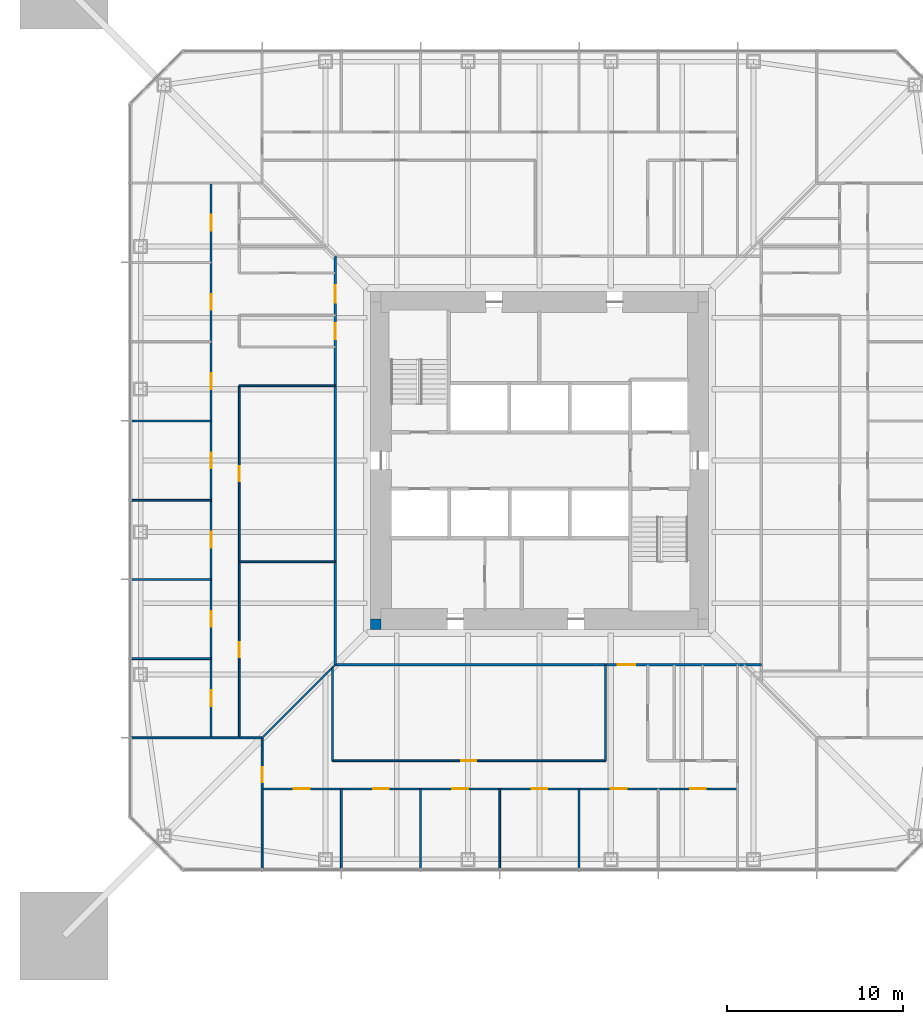
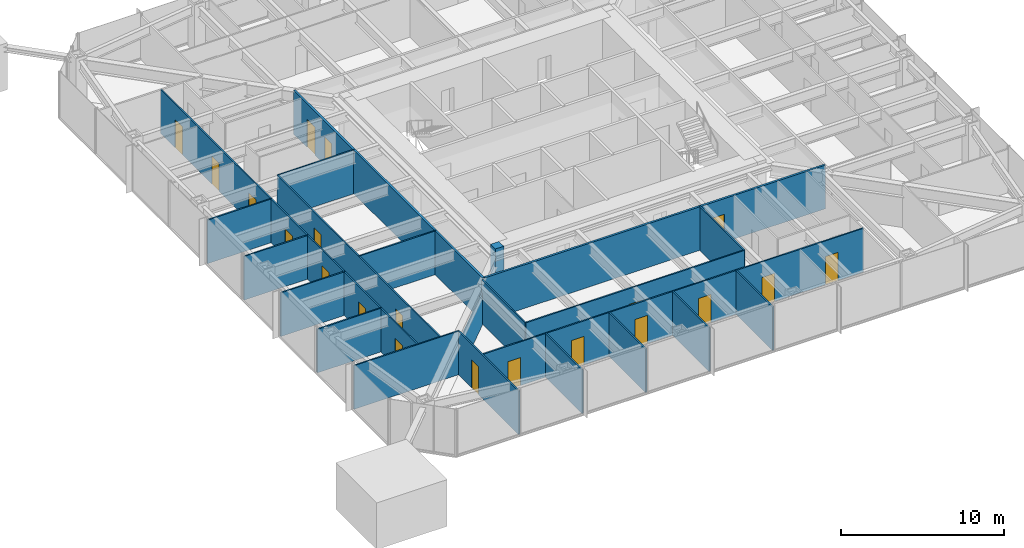
# One storey, part 14 of 26: 22 walls, 20 doors, 20 openings.
"""IFC4 building model written with IfcOpenShell, lengths in metres."""

from ifc_helpers import new_model, si_unit, direction, frame, frame_2d, origin, place, context, subcontext, project, spatial, rectangle, extrude, material, layer, layer_set, type_object, element, fill, save


model = new_model("IFC4")

# Units and contexts
model_context = context("Model", 3, precision=1e-05, world=origin(), true_north=direction((0.0, 1.0)))
body_context = subcontext(model_context, "Body", "Model", "MODEL_VIEW")
ifc_project = project(units=[si_unit("LENGTHUNIT", "METRE"), si_unit("AREAUNIT", "SQUARE_METRE"), si_unit("VOLUMEUNIT", "CUBIC_METRE"), si_unit("PLANEANGLEUNIT", "RADIAN"), si_unit("MASSUNIT", "GRAM", prefix="KILO")], contexts=[model_context])

# Site, building, storey
site_placement = place(None, origin())
site = spatial("IfcSite", under=ifc_project, at=site_placement, CompositionType="ELEMENT")
building_placement = place(site_placement, origin())
building = spatial("IfcBuilding", under=site, at=building_placement, Name="Iwan Alto Co-Living Towers", CompositionType="ELEMENT")
storey_placement = place(building_placement, frame((0.0, 0.0, 29.0)))
storey = spatial("IfcBuildingStorey", under=building, at=storey_placement, Name="L07", CompositionType="ELEMENT", Elevation=29.0)

# Wall, opening, door
ifc_material_1 = material(Name="Gypsum board")
ifc_layer_1 = layer(ifc_material_1, 0.02490234375, Name="Board", Category="Finish")
ifc_material_2 = material(Name="Steel ASTM A1003 ST33H cold-formed studs", Category="steel")
ifc_layer_2 = layer(ifc_material_2, 0.10009765625, Name="Studs", Category="Framing")
ifc_layer_3 = layer(ifc_material_1, 0.02490234375, Name="Board", Category="Finish")
ifc_layer_set_1 = layer_set([ifc_layer_1, ifc_layer_2, ifc_layer_3], Name="CORRIDOR WALL 150")
wall_type_1 = type_object("IfcWallType", Name="CORRIDOR WALL 150", PredefinedType="PARTITIONING", material=ifc_layer_set_1)
wall_1_placement = place(storey_placement, frame((-11.60009765625, -11.60009765625, 0.0), z_axis=(0.0, 0.0, 1.0), x_axis=(1.0, 0.0, 0.0)))
wall_1 = element("IfcWall", 1, at=wall_1_placement, inside=storey, type_object=wall_type_1, Name="Partition L07", PredefinedType="PARTITIONING", context=body_context, shape_type="SweptSolid", body=[
    extrude(rectangle(XDim=24.2001953125, YDim=0.14990234375, at=frame_2d((12.10009765625, 0.0))), origin(), (0.0, 0.0, 1.0), 3.27001953125),
])
opening_1_placement = place(wall_1_placement, frame((16.050048828125, 0.0, 0.0)))
opening_1 = element("IfcOpeningElement", 2, at=opening_1_placement, cuts=wall_1, Name="Opening D3", PredefinedType="OPENING", context=body_context, shape_type="SweptSolid", body=[
    extrude(rectangle(XDim=1.0, YDim=2.10009765625, at=frame_2d((0.5, 1.050048828125))), frame((0.0, 0.0849609375, 0.0), z_axis=(0.0, -1.0, 0.0), x_axis=(1.0, 0.0, 0.0)), (0.0, 0.0, 1.0), 0.169921875),
])
ifc_material_3 = material(Name="Steel frame with timber leaf", Category="steel")
door_type_1 = type_object("IfcDoorType", Name="FLAT ENTRANCE DOOR FD30S 1000X2100", OperationType="SINGLE_SWING_LEFT", PredefinedType="DOOR", material=ifc_material_3)
door_1_placement = place(opening_1_placement, frame((1.0, 0.0, 0.0), z_axis=(0.0, 0.0, 1.0), x_axis=(-1.0, 0.0, 0.0)))
door_1 = element("IfcDoor", 3, at=door_1_placement, inside=storey, type_object=door_type_1, Name="Cluster lounge door L07", OperationType="SINGLE_SWING_RIGHT", OverallHeight=2.10009765625, OverallWidth=1.0, PredefinedType="DOOR", context=body_context, shape_type="SweptSolid", body=[
    extrude(rectangle(XDim=1.0, YDim=2.10009765625, at=frame_2d((0.5, 1.050048828125))), frame((0.0, 0.02490234375, 0.0), z_axis=(0.0, -1.0, 0.0), x_axis=(1.0, 0.0, 0.0)), (0.0, 0.0, 1.0), 0.050048828125),
])
fill(opening_1, door_1)

# Wall, openings, doors
wall_2_placement = place(storey_placement, frame((-11.60009765625, -11.60009765625, 0.0), z_axis=(0.0, 0.0, 1.0), x_axis=(0.0, 1.0, 0.0)))
wall_2 = element("IfcWall", 4, at=wall_2_placement, inside=storey, type_object=wall_type_1, Name="Partition L07", PredefinedType="PARTITIONING", context=body_context, shape_type="SweptSolid", body=[
    extrude(rectangle(XDim=23.2001953125, YDim=0.14990234375, at=frame_2d((11.60009765625, 0.0))), origin(), (0.0, 0.0, 1.0), 3.27001953125),
])
opening_2_placement = place(wall_2_placement, frame((20.550048828125, 0.0, 0.0)))
opening_2 = element("IfcOpeningElement", 5, at=opening_2_placement, cuts=wall_2, Name="Opening D3", PredefinedType="OPENING", context=body_context, shape_type="SweptSolid", body=[
    extrude(rectangle(XDim=1.0, YDim=2.10009765625, at=frame_2d((0.5, 1.050048828125))), frame((0.0, 0.0849609375, 0.0), z_axis=(0.0, -1.0, 0.0), x_axis=(1.0, 0.0, 0.0)), (0.0, 0.0, 1.0), 0.169921875),
])
opening_3_placement = place(wall_2_placement, frame((18.5, 0.0, 0.0)))
opening_3 = element("IfcOpeningElement", 6, at=opening_3_placement, cuts=wall_2, Name="Opening D8", PredefinedType="OPENING", context=body_context, shape_type="SweptSolid", body=[
    extrude(rectangle(XDim=0.89990234375, YDim=2.10009765625, at=frame_2d((0.449951171875, 1.050048828125))), frame((0.0, 0.0849609375, 0.0), z_axis=(0.0, -1.0, 0.0), x_axis=(1.0, 0.0, 0.0)), (0.0, 0.0, 1.0), 0.169921875),
])
door_2_placement = place(opening_2_placement, origin())
door_2 = element("IfcDoor", 7, at=door_2_placement, inside=storey, type_object=door_type_1, Name="Cluster lounge and shared kitchen door L07", OperationType="SINGLE_SWING_LEFT", OverallHeight=2.10009765625, OverallWidth=1.0, PredefinedType="DOOR", context=body_context, shape_type="SweptSolid", body=[
    extrude(rectangle(XDim=1.0, YDim=2.10009765625, at=frame_2d((0.5, 1.050048828125))), frame((0.0, 0.02490234375, 0.0), z_axis=(0.0, -1.0, 0.0), x_axis=(1.0, 0.0, 0.0)), (0.0, 0.0, 1.0), 0.050048828125),
])
fill(opening_2, door_2)
ifc_material_4 = material(Name="Steel frame with timber leaf", Category="steel")
door_type_2 = type_object("IfcDoorType", Name="RISER DOOR FD120 900X2100", OperationType="SINGLE_SWING_LEFT", PredefinedType="DOOR", material=ifc_material_4)
door_3_placement = place(opening_3_placement, origin())
door_3 = element("IfcDoor", 8, at=door_3_placement, inside=storey, type_object=door_type_2, Name="Comms room door L07", OperationType="SINGLE_SWING_LEFT", OverallHeight=2.10009765625, OverallWidth=0.89990234375, PredefinedType="DOOR", context=body_context, shape_type="SweptSolid", body=[
    extrude(rectangle(XDim=0.89990234375, YDim=2.10009765625, at=frame_2d((0.449951171875, 1.050048828125))), frame((0.0, 0.02490234375, 0.0), z_axis=(0.0, -1.0, 0.0), x_axis=(1.0, 0.0, 0.0)), (0.0, 0.0, 1.0), 0.050048828125),
])
fill(opening_3, door_3)

ifc_layer_4 = layer(ifc_material_1, 0.012451171875, Name="Board", Category="Finish")
ifc_layer_5 = layer(ifc_material_2, 0.074951171875, Name="Studs", Category="Framing")
ifc_layer_6 = layer(ifc_material_1, 0.012451171875, Name="Board", Category="Finish")
ifc_layer_set_2 = layer_set([ifc_layer_4, ifc_layer_5, ifc_layer_6], Name="PARTITION 100")
wall_type_2 = type_object("IfcWallType", Name="PARTITION 100", PredefinedType="PARTITIONING", material=ifc_layer_set_2)
wall_3_placement = place(storey_placement, frame((-15.75, -18.64990234375, 0.0), z_axis=(0.0, 0.0, 1.0), x_axis=(1.0, 0.0, 0.0)))
wall_3 = element("IfcWall", 9, at=wall_3_placement, inside=storey, type_object=wall_type_2, Name="Partition L07", PredefinedType="PARTITIONING", context=body_context, shape_type="SweptSolid", body=[
    extrude(rectangle(XDim=27.0, YDim=0.10009765625, at=frame_2d((13.5, 0.0))), origin(), (0.0, 0.0, 1.0), 3.27001953125),
])
opening_4_placement = place(wall_3_placement, frame((1.800048828125, 0.0, 0.0)))
opening_4 = element("IfcOpeningElement", 10, at=opening_4_placement, cuts=wall_3, Name="Opening D1", PredefinedType="OPENING", context=body_context, shape_type="SweptSolid", body=[
    extrude(rectangle(XDim=0.89990234375, YDim=2.10009765625, at=frame_2d((0.449951171875, 1.050048828125))), frame((0.0, 0.06005859375, 0.0), z_axis=(0.0, -1.0, 0.0), x_axis=(1.0, 0.0, 0.0)), (0.0, 0.0, 1.0), 0.1201171875),
])
opening_5_placement = place(wall_3_placement, frame((6.300048828125, 0.0, 0.0)))
opening_5 = element("IfcOpeningElement", 11, at=opening_5_placement, cuts=wall_3, Name="Opening D1", PredefinedType="OPENING", context=body_context, shape_type="SweptSolid", body=[
    extrude(rectangle(XDim=0.89990234375, YDim=2.10009765625, at=frame_2d((0.449951171875, 1.050048828125))), frame((0.0, 0.06005859375, 0.0), z_axis=(0.0, -1.0, 0.0), x_axis=(1.0, 0.0, 0.0)), (0.0, 0.0, 1.0), 0.1201171875),
])
opening_6_placement = place(wall_3_placement, frame((10.800048828125, 0.0, 0.0)))
opening_6 = element("IfcOpeningElement", 12, at=opening_6_placement, cuts=wall_3, Name="Opening D1", PredefinedType="OPENING", context=body_context, shape_type="SweptSolid", body=[
    extrude(rectangle(XDim=0.89990234375, YDim=2.10009765625, at=frame_2d((0.449951171875, 1.050048828125))), frame((0.0, 0.06005859375, 0.0), z_axis=(0.0, -1.0, 0.0), x_axis=(1.0, 0.0, 0.0)), (0.0, 0.0, 1.0), 0.1201171875),
])
opening_7_placement = place(wall_3_placement, frame((15.300048828125, 0.0, 0.0)))
opening_7 = element("IfcOpeningElement", 13, at=opening_7_placement, cuts=wall_3, Name="Opening D1", PredefinedType="OPENING", context=body_context, shape_type="SweptSolid", body=[
    extrude(rectangle(XDim=0.89990234375, YDim=2.10009765625, at=frame_2d((0.449951171875, 1.050048828125))), frame((0.0, 0.06005859375, 0.0), z_axis=(0.0, -1.0, 0.0), x_axis=(1.0, 0.0, 0.0)), (0.0, 0.0, 1.0), 0.1201171875),
])
opening_8_placement = place(wall_3_placement, frame((19.800048828125, 0.0, 0.0)))
opening_8 = element("IfcOpeningElement", 14, at=opening_8_placement, cuts=wall_3, Name="Opening D1", PredefinedType="OPENING", context=body_context, shape_type="SweptSolid", body=[
    extrude(rectangle(XDim=0.89990234375, YDim=2.10009765625, at=frame_2d((0.449951171875, 1.050048828125))), frame((0.0, 0.06005859375, 0.0), z_axis=(0.0, -1.0, 0.0), x_axis=(1.0, 0.0, 0.0)), (0.0, 0.0, 1.0), 0.1201171875),
])
opening_9_placement = place(wall_3_placement, frame((24.300048828125, 0.0, 0.0)))
opening_9 = element("IfcOpeningElement", 15, at=opening_9_placement, cuts=wall_3, Name="Opening D1", PredefinedType="OPENING", context=body_context, shape_type="SweptSolid", body=[
    extrude(rectangle(XDim=0.89990234375, YDim=2.10009765625, at=frame_2d((0.449951171875, 1.050048828125))), frame((0.0, 0.06005859375, 0.0), z_axis=(0.0, -1.0, 0.0), x_axis=(1.0, 0.0, 0.0)), (0.0, 0.0, 1.0), 0.1201171875),
])
ifc_material_5 = material(Name="Timber leaf in steel frame", Category="steel")
door_type_3 = type_object("IfcDoorType", Name="BEDROOM DOOR 900X2100", OperationType="SINGLE_SWING_LEFT", PredefinedType="DOOR", material=ifc_material_5)
door_4_placement = place(opening_4_placement, origin())
door_4 = element("IfcDoor", 16, at=door_4_placement, inside=storey, type_object=door_type_3, Name="Study bedroom door L07", OperationType="SINGLE_SWING_LEFT", OverallHeight=2.10009765625, OverallWidth=0.89990234375, PredefinedType="DOOR", context=body_context, shape_type="SweptSolid", body=[
    extrude(rectangle(XDim=0.89990234375, YDim=2.10009765625, at=frame_2d((0.449951171875, 1.050048828125))), frame((0.0, 0.02490234375, 0.0), z_axis=(0.0, -1.0, 0.0), x_axis=(1.0, 0.0, 0.0)), (0.0, 0.0, 1.0), 0.050048828125),
])
fill(opening_4, door_4)
door_5_placement = place(opening_5_placement, origin())
door_5 = element("IfcDoor", 17, at=door_5_placement, inside=storey, type_object=door_type_3, Name="Study bedroom door L07", OperationType="SINGLE_SWING_LEFT", OverallHeight=2.10009765625, OverallWidth=0.89990234375, PredefinedType="DOOR", context=body_context, shape_type="SweptSolid", body=[
    extrude(rectangle(XDim=0.89990234375, YDim=2.10009765625, at=frame_2d((0.449951171875, 1.050048828125))), frame((0.0, 0.02490234375, 0.0), z_axis=(0.0, -1.0, 0.0), x_axis=(1.0, 0.0, 0.0)), (0.0, 0.0, 1.0), 0.050048828125),
])
fill(opening_5, door_5)
door_6_placement = place(opening_6_placement, origin())
door_6 = element("IfcDoor", 18, at=door_6_placement, inside=storey, type_object=door_type_3, Name="Study bedroom door L07", OperationType="SINGLE_SWING_LEFT", OverallHeight=2.10009765625, OverallWidth=0.89990234375, PredefinedType="DOOR", context=body_context, shape_type="SweptSolid", body=[
    extrude(rectangle(XDim=0.89990234375, YDim=2.10009765625, at=frame_2d((0.449951171875, 1.050048828125))), frame((0.0, 0.02490234375, 0.0), z_axis=(0.0, -1.0, 0.0), x_axis=(1.0, 0.0, 0.0)), (0.0, 0.0, 1.0), 0.050048828125),
])
fill(opening_6, door_6)
door_7_placement = place(opening_7_placement, origin())
door_7 = element("IfcDoor", 19, at=door_7_placement, inside=storey, type_object=door_type_3, Name="Study bedroom door L07", OperationType="SINGLE_SWING_RIGHT", OverallHeight=2.10009765625, OverallWidth=0.89990234375, PredefinedType="DOOR", context=body_context, shape_type="SweptSolid", body=[
    extrude(rectangle(XDim=0.89990234375, YDim=2.10009765625, at=frame_2d((0.449951171875, 1.050048828125))), frame((0.0, 0.02490234375, 0.0), z_axis=(0.0, -1.0, 0.0), x_axis=(1.0, 0.0, 0.0)), (0.0, 0.0, 1.0), 0.050048828125),
])
fill(opening_7, door_7)
door_8_placement = place(opening_8_placement, origin())
door_8 = element("IfcDoor", 20, at=door_8_placement, inside=storey, type_object=door_type_3, Name="Study bedroom door L07", OperationType="SINGLE_SWING_RIGHT", OverallHeight=2.10009765625, OverallWidth=0.89990234375, PredefinedType="DOOR", context=body_context, shape_type="SweptSolid", body=[
    extrude(rectangle(XDim=0.89990234375, YDim=2.10009765625, at=frame_2d((0.449951171875, 1.050048828125))), frame((0.0, 0.02490234375, 0.0), z_axis=(0.0, -1.0, 0.0), x_axis=(1.0, 0.0, 0.0)), (0.0, 0.0, 1.0), 0.050048828125),
])
fill(opening_8, door_8)
door_9_placement = place(opening_9_placement, origin())
door_9 = element("IfcDoor", 21, at=door_9_placement, inside=storey, type_object=door_type_3, Name="Study bedroom door L07", OperationType="SINGLE_SWING_RIGHT", OverallHeight=2.10009765625, OverallWidth=0.89990234375, PredefinedType="DOOR", context=body_context, shape_type="SweptSolid", body=[
    extrude(rectangle(XDim=0.89990234375, YDim=2.10009765625, at=frame_2d((0.449951171875, 1.050048828125))), frame((0.0, 0.02490234375, 0.0), z_axis=(0.0, -1.0, 0.0), x_axis=(1.0, 0.0, 0.0)), (0.0, 0.0, 1.0), 0.050048828125),
])
fill(opening_9, door_9)

# Wall, opening, door
wall_4_placement = place(storey_placement, frame((-11.760009765625, -17.050048828125, 0.0), z_axis=(0.0, 0.0, 1.0), x_axis=(1.0, 0.0, 0.0)))
wall_4 = element("IfcWall", 22, at=wall_4_placement, inside=storey, type_object=wall_type_2, Name="Partition L07", PredefinedType="PARTITIONING", context=body_context, shape_type="SweptSolid", body=[
    extrude(rectangle(XDim=15.510009765625, YDim=0.10009765625, at=frame_2d((7.7548828125, 0.0))), origin(), (0.0, 0.0, 1.0), 3.27001953125),
])
opening_10_placement = place(wall_4_placement, frame((7.330078125, 0.0, 0.0)))
opening_10 = element("IfcOpeningElement", 23, at=opening_10_placement, cuts=wall_4, Name="Opening D2", PredefinedType="OPENING", context=body_context, shape_type="SweptSolid", body=[
    extrude(rectangle(XDim=0.85009765625, YDim=2.10009765625, at=frame_2d((0.425048828125, 1.050048828125))), frame((0.0, 0.06005859375, 0.0), z_axis=(0.0, -1.0, 0.0), x_axis=(1.0, 0.0, 0.0)), (0.0, 0.0, 1.0), 0.1201171875),
])
ifc_material_6 = material(Name="Timber leaf in steel frame", Category="steel")
door_type_4 = type_object("IfcDoorType", Name="ROOM DOOR 850X2100", OperationType="SINGLE_SWING_LEFT", PredefinedType="DOOR", material=ifc_material_6)
door_10_placement = place(opening_10_placement, origin())
door_10 = element("IfcDoor", 24, at=door_10_placement, inside=storey, type_object=door_type_4, Name="Study lounge door L07", OperationType="SINGLE_SWING_LEFT", OverallHeight=2.10009765625, OverallWidth=0.85009765625, PredefinedType="DOOR", context=body_context, shape_type="SweptSolid", body=[
    extrude(rectangle(XDim=0.85009765625, YDim=2.10009765625, at=frame_2d((0.425048828125, 1.050048828125))), frame((0.0, 0.02490234375, 0.0), z_axis=(0.0, -1.0, 0.0), x_axis=(1.0, 0.0, 0.0)), (0.0, 0.0, 1.0), 0.050048828125),
])
fill(opening_10, door_10)

# Walls
wall_5_placement = place(storey_placement, frame((-23.18994140625, -15.75, 0.0), z_axis=(0.0, 0.0, 1.0), x_axis=(1.0, 0.0, 0.0)))
element("IfcWall", 25, at=wall_5_placement, inside=storey, type_object=wall_type_2, Name="Partition L07", PredefinedType="PARTITIONING", context=body_context, shape_type="SweptSolid", body=[
    extrude(rectangle(XDim=7.43994140625, YDim=0.10009765625, at=frame_2d((3.719970703125, 0.0))), origin(), (0.0, 0.0, 1.0), 3.27001953125),
])
for number, where, z_axis, x_axis, name in (
    (26, (-23.18994140625, -11.25, 0.0), (0.0, 0.0, 1.0), (1.0, 0.0, 0.0), "Partition L07"),
    (27, (-23.18994140625, -6.75, 0.0), (0.0, 0.0, 1.0), (1.0, 0.0, 0.0), "Partition L07"),
):
    element("IfcWall", number, at=place(storey_placement, frame(where, z_axis=z_axis, x_axis=x_axis)), inside=storey, type_object=wall_type_2, Name=name, PredefinedType="PARTITIONING", context=body_context, shape_type="SweptSolid", body=[
        extrude(rectangle(XDim=4.5400390625, YDim=0.10009765625, at=frame_2d((2.27001953125, 0.0))), origin(), (0.0, 0.0, 1.0), 3.27001953125),
    ])
wall_6_placement = place(storey_placement, frame((-17.050048828125, -5.75, 0.0), z_axis=(0.0, 0.0, 1.0), x_axis=(1.0, 0.0, 0.0)))
element("IfcWall", 28, at=wall_6_placement, inside=storey, type_object=wall_type_2, Name="Partition L07", PredefinedType="PARTITIONING", context=body_context, shape_type="SweptSolid", body=[
    extrude(rectangle(XDim=5.449951171875, YDim=0.10009765625, at=frame_2d((2.72509765625, 0.0))), origin(), (0.0, 0.0, 1.0), 3.27001953125),
])
for number, where, z_axis, x_axis, name in (
    (29, (-23.18994140625, -2.25, 0.0), (0.0, 0.0, 1.0), (1.0, 0.0, 0.0), "Partition L07"),
    (30, (-23.18994140625, 2.25, 0.0), (0.0, 0.0, 1.0), (1.0, 0.0, 0.0), "Partition L07"),
):
    element("IfcWall", number, at=place(storey_placement, frame(where, z_axis=z_axis, x_axis=x_axis)), inside=storey, type_object=wall_type_2, Name=name, PredefinedType="PARTITIONING", context=body_context, shape_type="SweptSolid", body=[
        extrude(rectangle(XDim=4.5400390625, YDim=0.10009765625, at=frame_2d((2.27001953125, 0.0))), origin(), (0.0, 0.0, 1.0), 3.27001953125),
    ])
wall_7_placement = place(storey_placement, frame((-17.050048828125, 4.25, 0.0), z_axis=(0.0, 0.0, 1.0), x_axis=(1.0, 0.0, 0.0)))
element("IfcWall", 31, at=wall_7_placement, inside=storey, type_object=wall_type_2, Name="Partition L07", PredefinedType="PARTITIONING", context=body_context, shape_type="SweptSolid", body=[
    extrude(rectangle(XDim=5.449951171875, YDim=0.10009765625, at=frame_2d((2.72509765625, 0.0))), origin(), (0.0, 0.0, 1.0), 3.27001953125),
])
wall_8_placement = place(storey_placement, frame((-15.75, -15.75, 0.0), z_axis=(0.0, 0.0, 1.0), x_axis=(0.707106781187, 0.707106781187, 0.0)))
element("IfcWall", 32, at=wall_8_placement, inside=storey, type_object=wall_type_2, Name="Partition L07", PredefinedType="PARTITIONING", context=body_context, shape_type="SweptSolid", body=[
    extrude(rectangle(XDim=5.868896484375, YDim=0.10009765625, at=frame_2d((2.9345703125, 0.0))), origin(), (0.0, 0.0, 1.0), 2.343017578125),
])
wall_9_placement = place(storey_placement, frame((3.75, -17.050048828125, 0.0), z_axis=(0.0, 0.0, 1.0), x_axis=(0.0, 1.0, 0.0)))
element("IfcWall", 33, at=wall_9_placement, inside=storey, type_object=wall_type_2, Name="Partition L07", PredefinedType="PARTITIONING", context=body_context, shape_type="SweptSolid", body=[
    extrude(rectangle(XDim=5.449951171875, YDim=0.10009765625, at=frame_2d((2.72509765625, 0.0))), origin(), (0.0, 0.0, 1.0), 3.27001953125),
])
for number, where, z_axis, x_axis, name in (
    (34, (2.25, -23.18994140625, 0.0), (0.0, 0.0, 1.0), (0.0, 1.0, 0.0), "Partition L07"),
    (35, (-2.25, -23.18994140625, 0.0), (0.0, 0.0, 1.0), (0.0, 1.0, 0.0), "Partition L07"),
    (36, (-6.75, -23.18994140625, 0.0), (0.0, 0.0, 1.0), (0.0, 1.0, 0.0), "Partition L07"),
    (37, (-11.25, -23.18994140625, 0.0), (0.0, 0.0, 1.0), (0.0, 1.0, 0.0), "Partition L07"),
):
    element("IfcWall", number, at=place(storey_placement, frame(where, z_axis=z_axis, x_axis=x_axis)), inside=storey, type_object=wall_type_2, Name=name, PredefinedType="PARTITIONING", context=body_context, shape_type="SweptSolid", body=[
        extrude(rectangle(XDim=4.5400390625, YDim=0.10009765625, at=frame_2d((2.27001953125, 0.0))), origin(), (0.0, 0.0, 1.0), 3.27001953125),
    ])
wall_10_placement = place(storey_placement, frame((-11.760009765625, -17.050048828125, 0.0), z_axis=(0.0, 0.0, 1.0), x_axis=(0.0, 1.0, 0.0)))
element("IfcWall", 38, at=wall_10_placement, inside=storey, type_object=wall_type_2, Name="Partition L07", PredefinedType="PARTITIONING", context=body_context, shape_type="SweptSolid", body=[
    extrude(rectangle(XDim=5.2900390625, YDim=0.10009765625, at=frame_2d((2.64501953125, 0.0))), origin(), (0.0, 0.0, 1.0), 3.27001953125),
])

# Wall, opening, door
wall_11_placement = place(storey_placement, frame((-15.75, -23.18994140625, 0.0), z_axis=(0.0, 0.0, 1.0), x_axis=(0.0, 1.0, 0.0)))
wall_11 = element("IfcWall", 39, at=wall_11_placement, inside=storey, type_object=wall_type_2, Name="Partition L07", PredefinedType="PARTITIONING", context=body_context, shape_type="SweptSolid", body=[
    extrude(rectangle(XDim=7.43994140625, YDim=0.10009765625, at=frame_2d((3.719970703125, 0.0))), origin(), (0.0, 0.0, 1.0), 3.27001953125),
])
opening_11_placement = place(wall_11_placement, frame((4.9150390625, 0.0, 0.0)))
opening_11 = element("IfcOpeningElement", 40, at=opening_11_placement, cuts=wall_11, Name="Opening D2", PredefinedType="OPENING", context=body_context, shape_type="SweptSolid", body=[
    extrude(rectangle(XDim=0.85009765625, YDim=2.10009765625, at=frame_2d((0.425048828125, 1.050048828125))), frame((0.0, 0.06005859375, 0.0), z_axis=(0.0, -1.0, 0.0), x_axis=(1.0, 0.0, 0.0)), (0.0, 0.0, 1.0), 0.1201171875),
])
door_11_placement = place(opening_11_placement, frame((0.85009765625, 0.0, 0.0), z_axis=(0.0, 0.0, 1.0), x_axis=(-1.0, 0.0, 0.0)))
door_11 = element("IfcDoor", 41, at=door_11_placement, inside=storey, type_object=door_type_4, Name="Shared kitchen and dining room door L07", OperationType="SINGLE_SWING_RIGHT", OverallHeight=2.10009765625, OverallWidth=0.85009765625, PredefinedType="DOOR", context=body_context, shape_type="SweptSolid", body=[
    extrude(rectangle(XDim=0.85009765625, YDim=2.10009765625, at=frame_2d((0.425048828125, 1.050048828125))), frame((0.0, 0.02490234375, 0.0), z_axis=(0.0, -1.0, 0.0), x_axis=(1.0, 0.0, 0.0)), (0.0, 0.0, 1.0), 0.050048828125),
])
fill(opening_11, door_11)

# Wall, openings, doors
wall_12_placement = place(storey_placement, frame((-17.050048828125, -15.75, 0.0), z_axis=(0.0, 0.0, 1.0), x_axis=(0.0, 1.0, 0.0)))
wall_12 = element("IfcWall", 42, at=wall_12_placement, inside=storey, type_object=wall_type_2, Name="Partition L07", PredefinedType="PARTITIONING", context=body_context, shape_type="SweptSolid", body=[
    extrude(rectangle(XDim=20.0, YDim=0.10009765625, at=frame_2d((10.0, 0.0))), origin(), (0.0, 0.0, 1.0), 3.27001953125),
])
opening_12_placement = place(wall_12_placement, frame((14.574951171875, 0.0, 0.0)))
opening_12 = element("IfcOpeningElement", 43, at=opening_12_placement, cuts=wall_12, Name="Opening D2", PredefinedType="OPENING", context=body_context, shape_type="SweptSolid", body=[
    extrude(rectangle(XDim=0.85009765625, YDim=2.10009765625, at=frame_2d((0.425048828125, 1.050048828125))), frame((0.0, 0.06005859375, 0.0), z_axis=(0.0, -1.0, 0.0), x_axis=(1.0, 0.0, 0.0)), (0.0, 0.0, 1.0), 0.1201171875),
])
opening_13_placement = place(wall_12_placement, frame((4.574951171875, 0.0, 0.0)))
opening_13 = element("IfcOpeningElement", 44, at=opening_13_placement, cuts=wall_12, Name="Opening D2", PredefinedType="OPENING", context=body_context, shape_type="SweptSolid", body=[
    extrude(rectangle(XDim=0.85009765625, YDim=2.10009765625, at=frame_2d((0.425048828125, 1.050048828125))), frame((0.0, 0.06005859375, 0.0), z_axis=(0.0, -1.0, 0.0), x_axis=(1.0, 0.0, 0.0)), (0.0, 0.0, 1.0), 0.1201171875),
])
door_12_placement = place(opening_12_placement, origin())
door_12 = element("IfcDoor", 45, at=door_12_placement, inside=storey, type_object=door_type_4, Name="Study lounge door L07", OperationType="SINGLE_SWING_LEFT", OverallHeight=2.10009765625, OverallWidth=0.85009765625, PredefinedType="DOOR", context=body_context, shape_type="SweptSolid", body=[
    extrude(rectangle(XDim=0.85009765625, YDim=2.10009765625, at=frame_2d((0.425048828125, 1.050048828125))), frame((0.0, 0.02490234375, 0.0), z_axis=(0.0, -1.0, 0.0), x_axis=(1.0, 0.0, 0.0)), (0.0, 0.0, 1.0), 0.050048828125),
])
fill(opening_12, door_12)
door_13_placement = place(opening_13_placement, origin())
door_13 = element("IfcDoor", 46, at=door_13_placement, inside=storey, type_object=door_type_4, Name="Study lounge door L07", OperationType="SINGLE_SWING_LEFT", OverallHeight=2.10009765625, OverallWidth=0.85009765625, PredefinedType="DOOR", context=body_context, shape_type="SweptSolid", body=[
    extrude(rectangle(XDim=0.85009765625, YDim=2.10009765625, at=frame_2d((0.425048828125, 1.050048828125))), frame((0.0, 0.02490234375, 0.0), z_axis=(0.0, -1.0, 0.0), x_axis=(1.0, 0.0, 0.0)), (0.0, 0.0, 1.0), 0.050048828125),
])
fill(opening_13, door_13)

wall_13_placement = place(storey_placement, frame((-18.64990234375, -15.75, 0.0), z_axis=(0.0, 0.0, 1.0), x_axis=(0.0, 1.0, 0.0)))
wall_13 = element("IfcWall", 47, at=wall_13_placement, inside=storey, type_object=wall_type_2, Name="Partition L07", PredefinedType="PARTITIONING", context=body_context, shape_type="SweptSolid", body=[
    extrude(rectangle(XDim=31.5, YDim=0.10009765625, at=frame_2d((15.75, 0.0))), origin(), (0.0, 0.0, 1.0), 3.27001953125),
])
opening_14_placement = place(wall_13_placement, frame((28.800048828125, 0.0, 0.0)))
opening_14 = element("IfcOpeningElement", 48, at=opening_14_placement, cuts=wall_13, Name="Opening D1", PredefinedType="OPENING", context=body_context, shape_type="SweptSolid", body=[
    extrude(rectangle(XDim=0.89990234375, YDim=2.10009765625, at=frame_2d((0.449951171875, 1.050048828125))), frame((0.0, 0.06005859375, 0.0), z_axis=(0.0, -1.0, 0.0), x_axis=(1.0, 0.0, 0.0)), (0.0, 0.0, 1.0), 0.1201171875),
])
opening_15_placement = place(wall_13_placement, frame((24.300048828125, 0.0, 0.0)))
opening_15 = element("IfcOpeningElement", 49, at=opening_15_placement, cuts=wall_13, Name="Opening D1", PredefinedType="OPENING", context=body_context, shape_type="SweptSolid", body=[
    extrude(rectangle(XDim=0.89990234375, YDim=2.10009765625, at=frame_2d((0.449951171875, 1.050048828125))), frame((0.0, 0.06005859375, 0.0), z_axis=(0.0, -1.0, 0.0), x_axis=(1.0, 0.0, 0.0)), (0.0, 0.0, 1.0), 0.1201171875),
])
opening_16_placement = place(wall_13_placement, frame((19.800048828125, 0.0, 0.0)))
opening_16 = element("IfcOpeningElement", 50, at=opening_16_placement, cuts=wall_13, Name="Opening D1", PredefinedType="OPENING", context=body_context, shape_type="SweptSolid", body=[
    extrude(rectangle(XDim=0.89990234375, YDim=2.10009765625, at=frame_2d((0.449951171875, 1.050048828125))), frame((0.0, 0.06005859375, 0.0), z_axis=(0.0, -1.0, 0.0), x_axis=(1.0, 0.0, 0.0)), (0.0, 0.0, 1.0), 0.1201171875),
])
opening_17_placement = place(wall_13_placement, frame((15.300048828125, 0.0, 0.0)))
opening_17 = element("IfcOpeningElement", 51, at=opening_17_placement, cuts=wall_13, Name="Opening D1", PredefinedType="OPENING", context=body_context, shape_type="SweptSolid", body=[
    extrude(rectangle(XDim=0.89990234375, YDim=2.10009765625, at=frame_2d((0.449951171875, 1.050048828125))), frame((0.0, 0.06005859375, 0.0), z_axis=(0.0, -1.0, 0.0), x_axis=(1.0, 0.0, 0.0)), (0.0, 0.0, 1.0), 0.1201171875),
])
opening_18_placement = place(wall_13_placement, frame((10.800048828125, 0.0, 0.0)))
opening_18 = element("IfcOpeningElement", 52, at=opening_18_placement, cuts=wall_13, Name="Opening D1", PredefinedType="OPENING", context=body_context, shape_type="SweptSolid", body=[
    extrude(rectangle(XDim=0.89990234375, YDim=2.10009765625, at=frame_2d((0.449951171875, 1.050048828125))), frame((0.0, 0.06005859375, 0.0), z_axis=(0.0, -1.0, 0.0), x_axis=(1.0, 0.0, 0.0)), (0.0, 0.0, 1.0), 0.1201171875),
])
opening_19_placement = place(wall_13_placement, frame((6.300048828125, 0.0, 0.0)))
opening_19 = element("IfcOpeningElement", 53, at=opening_19_placement, cuts=wall_13, Name="Opening D1", PredefinedType="OPENING", context=body_context, shape_type="SweptSolid", body=[
    extrude(rectangle(XDim=0.89990234375, YDim=2.10009765625, at=frame_2d((0.449951171875, 1.050048828125))), frame((0.0, 0.06005859375, 0.0), z_axis=(0.0, -1.0, 0.0), x_axis=(1.0, 0.0, 0.0)), (0.0, 0.0, 1.0), 0.1201171875),
])
opening_20_placement = place(wall_13_placement, frame((1.800048828125, 0.0, 0.0)))
opening_20 = element("IfcOpeningElement", 54, at=opening_20_placement, cuts=wall_13, Name="Opening D1", PredefinedType="OPENING", context=body_context, shape_type="SweptSolid", body=[
    extrude(rectangle(XDim=0.89990234375, YDim=2.10009765625, at=frame_2d((0.449951171875, 1.050048828125))), frame((0.0, 0.06005859375, 0.0), z_axis=(0.0, -1.0, 0.0), x_axis=(1.0, 0.0, 0.0)), (0.0, 0.0, 1.0), 0.1201171875),
])
door_14_placement = place(opening_14_placement, frame((0.89990234375, 0.0, 0.0), z_axis=(0.0, 0.0, 1.0), x_axis=(-1.0, 0.0, 0.0)))
door_14 = element("IfcDoor", 55, at=door_14_placement, inside=storey, type_object=door_type_3, Name="Study bedroom door L07", OperationType="SINGLE_SWING_LEFT", OverallHeight=2.10009765625, OverallWidth=0.89990234375, PredefinedType="DOOR", context=body_context, shape_type="SweptSolid", body=[
    extrude(rectangle(XDim=0.89990234375, YDim=2.10009765625, at=frame_2d((0.449951171875, 1.050048828125))), frame((0.0, 0.02490234375, 0.0), z_axis=(0.0, -1.0, 0.0), x_axis=(1.0, 0.0, 0.0)), (0.0, 0.0, 1.0), 0.050048828125),
])
fill(opening_14, door_14)
door_15_placement = place(opening_15_placement, frame((0.89990234375, 0.0, 0.0), z_axis=(0.0, 0.0, 1.0), x_axis=(-1.0, 0.0, 0.0)))
door_15 = element("IfcDoor", 56, at=door_15_placement, inside=storey, type_object=door_type_3, Name="Study bedroom door L07", OperationType="SINGLE_SWING_LEFT", OverallHeight=2.10009765625, OverallWidth=0.89990234375, PredefinedType="DOOR", context=body_context, shape_type="SweptSolid", body=[
    extrude(rectangle(XDim=0.89990234375, YDim=2.10009765625, at=frame_2d((0.449951171875, 1.050048828125))), frame((0.0, 0.02490234375, 0.0), z_axis=(0.0, -1.0, 0.0), x_axis=(1.0, 0.0, 0.0)), (0.0, 0.0, 1.0), 0.050048828125),
])
fill(opening_15, door_15)
door_16_placement = place(opening_16_placement, frame((0.89990234375, 0.0, 0.0), z_axis=(0.0, 0.0, 1.0), x_axis=(-1.0, 0.0, 0.0)))
door_16 = element("IfcDoor", 57, at=door_16_placement, inside=storey, type_object=door_type_3, Name="Study bedroom door L07", OperationType="SINGLE_SWING_LEFT", OverallHeight=2.10009765625, OverallWidth=0.89990234375, PredefinedType="DOOR", context=body_context, shape_type="SweptSolid", body=[
    extrude(rectangle(XDim=0.89990234375, YDim=2.10009765625, at=frame_2d((0.449951171875, 1.050048828125))), frame((0.0, 0.02490234375, 0.0), z_axis=(0.0, -1.0, 0.0), x_axis=(1.0, 0.0, 0.0)), (0.0, 0.0, 1.0), 0.050048828125),
])
fill(opening_16, door_16)
door_17_placement = place(opening_17_placement, frame((0.89990234375, 0.0, 0.0), z_axis=(0.0, 0.0, 1.0), x_axis=(-1.0, 0.0, 0.0)))
door_17 = element("IfcDoor", 58, at=door_17_placement, inside=storey, type_object=door_type_3, Name="Study bedroom door L07", OperationType="SINGLE_SWING_RIGHT", OverallHeight=2.10009765625, OverallWidth=0.89990234375, PredefinedType="DOOR", context=body_context, shape_type="SweptSolid", body=[
    extrude(rectangle(XDim=0.89990234375, YDim=2.10009765625, at=frame_2d((0.449951171875, 1.050048828125))), frame((0.0, 0.02490234375, 0.0), z_axis=(0.0, -1.0, 0.0), x_axis=(1.0, 0.0, 0.0)), (0.0, 0.0, 1.0), 0.050048828125),
])
fill(opening_17, door_17)
door_18_placement = place(opening_18_placement, frame((0.89990234375, 0.0, 0.0), z_axis=(0.0, 0.0, 1.0), x_axis=(-1.0, 0.0, 0.0)))
door_18 = element("IfcDoor", 59, at=door_18_placement, inside=storey, type_object=door_type_3, Name="Study bedroom door L07", OperationType="SINGLE_SWING_RIGHT", OverallHeight=2.10009765625, OverallWidth=0.89990234375, PredefinedType="DOOR", context=body_context, shape_type="SweptSolid", body=[
    extrude(rectangle(XDim=0.89990234375, YDim=2.10009765625, at=frame_2d((0.449951171875, 1.050048828125))), frame((0.0, 0.02490234375, 0.0), z_axis=(0.0, -1.0, 0.0), x_axis=(1.0, 0.0, 0.0)), (0.0, 0.0, 1.0), 0.050048828125),
])
fill(opening_18, door_18)
door_19_placement = place(opening_19_placement, frame((0.89990234375, 0.0, 0.0), z_axis=(0.0, 0.0, 1.0), x_axis=(-1.0, 0.0, 0.0)))
door_19 = element("IfcDoor", 60, at=door_19_placement, inside=storey, type_object=door_type_3, Name="Study bedroom door L07", OperationType="SINGLE_SWING_RIGHT", OverallHeight=2.10009765625, OverallWidth=0.89990234375, PredefinedType="DOOR", context=body_context, shape_type="SweptSolid", body=[
    extrude(rectangle(XDim=0.89990234375, YDim=2.10009765625, at=frame_2d((0.449951171875, 1.050048828125))), frame((0.0, 0.02490234375, 0.0), z_axis=(0.0, -1.0, 0.0), x_axis=(1.0, 0.0, 0.0)), (0.0, 0.0, 1.0), 0.050048828125),
])
fill(opening_19, door_19)
door_20_placement = place(opening_20_placement, frame((0.89990234375, 0.0, 0.0), z_axis=(0.0, 0.0, 1.0), x_axis=(-1.0, 0.0, 0.0)))
door_20 = element("IfcDoor", 61, at=door_20_placement, inside=storey, type_object=door_type_3, Name="Study bedroom door L07", OperationType="SINGLE_SWING_RIGHT", OverallHeight=2.10009765625, OverallWidth=0.89990234375, PredefinedType="DOOR", context=body_context, shape_type="SweptSolid", body=[
    extrude(rectangle(XDim=0.89990234375, YDim=2.10009765625, at=frame_2d((0.449951171875, 1.050048828125))), frame((0.0, 0.02490234375, 0.0), z_axis=(0.0, -1.0, 0.0), x_axis=(1.0, 0.0, 0.0)), (0.0, 0.0, 1.0), 0.050048828125),
])
fill(opening_20, door_20)

# Wall
ifc_material_7 = material(Name="Concrete f'c 70 MPa", Category="concrete")
ifc_layer_7 = layer(ifc_material_7, 0.60009765625)
ifc_layer_set_3 = layer_set([ifc_layer_7], Name="T1 CORE CORNER FILL 600")
wall_type_3 = type_object("IfcWallType", Name="T1 CORE CORNER FILL 600", PredefinedType="SOLIDWALL", material=ifc_layer_set_3)
wall_14_placement = place(storey_placement, frame((-9.60009765625, -9.300048828125, 0.0), z_axis=(0.0, 0.0, 1.0), x_axis=(1.0, 0.0, 0.0)))
element("IfcWall", 62, at=wall_14_placement, inside=storey, type_object=wall_type_3, Name="T1 core corner SW L07", PredefinedType="SOLIDWALL", context=body_context, shape_type="SweptSolid", body=[
    extrude(rectangle(XDim=0.60009765625, YDim=0.60009765625, at=frame_2d((0.300048828125, 0.0))), origin(), (0.0, 0.0, 1.0), 3.5),
])

save(model, "model.ifc")
